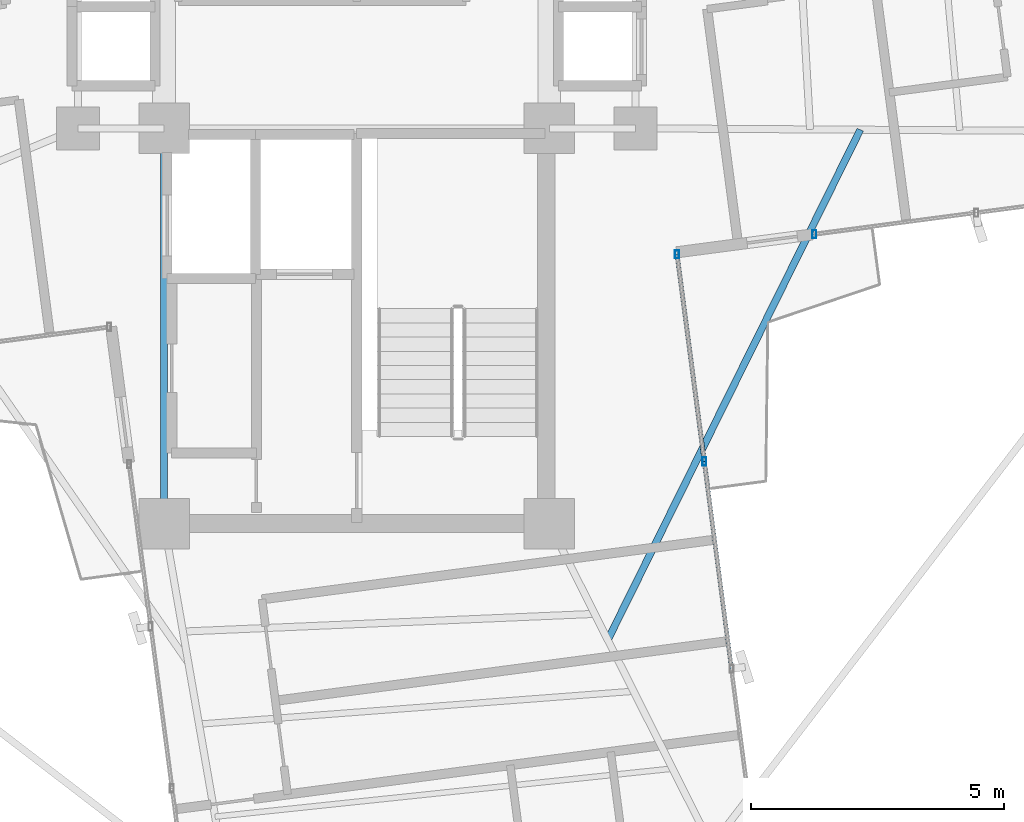
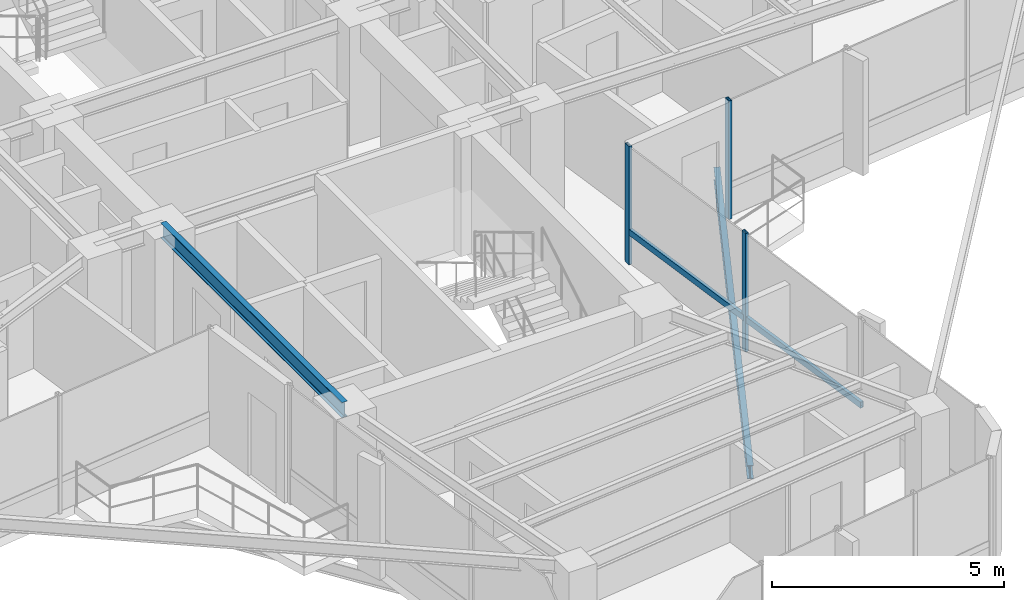
# One storey, part 5 of 22: 5 members, 2 beams, 2 elements without a shape of their own.
"""IFC4 building model written with IfcOpenShell, lengths in metres."""

from ifc_helpers import new_model, si_unit, direction, frame, origin, origin_2d, place, context, subcontext, project, spatial, hollow_rectangle, i_section, extrude, source, transform, mapped, material, material_profile, profile_set, type_object, element, aggregate, save


model = new_model("IFC4")

# Units and contexts
model_context = context("Model", 3, precision=1e-05, world=origin(), true_north=direction((0.0, 1.0)))
body_context = subcontext(model_context, "Body", "Model", "MODEL_VIEW")
ifc_project = project(units=[si_unit("LENGTHUNIT", "METRE"), si_unit("AREAUNIT", "SQUARE_METRE"), si_unit("VOLUMEUNIT", "CUBIC_METRE"), si_unit("PLANEANGLEUNIT", "RADIAN"), si_unit("MASSUNIT", "GRAM", prefix="KILO")], contexts=[model_context])

# Site, building, storey
site_placement = place(None, origin())
site = spatial("IfcSite", under=ifc_project, at=site_placement, CompositionType="ELEMENT")
building_placement = place(site_placement, origin())
building = spatial("IfcBuilding", under=site, at=building_placement, Name="Sahyath Konkavel Grand Hotel", CompositionType="ELEMENT")
storey_placement = place(building_placement, frame((0.0, 0.0, 234.449951171875)))
storey = spatial("IfcBuildingStorey", under=building, at=storey_placement, Name="L65", CompositionType="ELEMENT", Elevation=234.449951171875)

# Beam
ifc_material_1 = material(Name="Steel E350", Category="steel")
ifc_material_profile_1 = material_profile(ifc_material_1, i_section(OverallWidth=0.139892578125, OverallDepth=0.39990234375, WebThickness=0.0087890625, FlangeThickness=0.01611328125, FilletRadius=0.013916015625, at=origin_2d()), Name="ISMB 400")
ifc_profile_set_1 = profile_set([ifc_material_profile_1], Name="Steel E350")
beam_type_1 = type_object("IfcBeamType", Name="BM-ISMB400", PredefinedType="BEAM", material=ifc_profile_set_1)
shared_shape_1 = source(origin(), body_context, "Body", "SweptSolid", [
    extrude(i_section(OverallWidth=0.139892578125, OverallDepth=0.39990234375, WebThickness=0.0087890625, FlangeThickness=0.01611328125, FilletRadius=0.013916015625, at=origin_2d()), origin(), (0.0, 0.0, 1.0), 7.800048828125),
])
beam_1_placement = place(storey_placement, frame((-3.800048828125, -10.199951171875, 2.91015625), z_axis=(0.0, 1.0, 0.0), x_axis=(-1.0, 0.0, 0.0)))
element("IfcBeam", 1, at=beam_1_placement, inside=storey, type_object=beam_type_1, Name="str:bm:L65:SC-W", PredefinedType="BEAM", context=body_context, shape_type="MappedRepresentation", body=[
    mapped(shared_shape_1, transform((0.0, 0.0, 0.0), scale=1.0)),
])

# Curtain wall, member
ifc_material_2 = material(Name="Anodised Bronze Aluminium & Low-E Glazing", Category="aluminium")
curtain_wall_type = type_object("IfcCurtainWallType", Name="CW-ZONE4", PredefinedType="NOTDEFINED", material=ifc_material_2)
curtain_wall_1_placement = place(storey_placement, origin())
curtain_wall_1 = element("IfcCurtainWall", 2, at=curtain_wall_1_placement, inside=storey, type_object=curtain_wall_type, Name="L65 Unitised Curtain Wall F0", PredefinedType="NOTDEFINED")
ifc_material_3 = material(Name="Anodised Bronze Aluminium", Category="aluminium")
ifc_material_profile_2 = material_profile(ifc_material_3, hollow_rectangle(XDim=0.080078125, YDim=0.159912109375, WallThickness=0.006103515625, at=origin_2d()), Name="RHS 160x80x6")
ifc_profile_set_2 = profile_set([ifc_material_profile_2], Name="Anodised Bronze Aluminium")
member_type_1 = type_object("IfcMemberType", Name="CW-MUL-160", PredefinedType="MULLION", material=ifc_profile_set_2)
shared_shape_2 = source(origin(), body_context, "Body", "SweptSolid", [
    extrude(hollow_rectangle(XDim=0.080078125, YDim=0.159912109375, WallThickness=0.006103515625, at=origin_2d()), origin(), (0.0, 0.0, 1.0), 3.110107421875),
])
member_1_placement = place(storey_placement, frame((9.0322265625, -4.488525390625, 0.0), z_axis=(0.0, 0.0, 1.0), x_axis=(1.0, 0.0, 0.0)))
member_1 = element("IfcMember", 3, at=member_1_placement, type_object=member_type_1, Name="L65 Curtain Wall Mullion F0-0", PredefinedType="MULLION", context=body_context, shape_type="MappedRepresentation", body=[
    mapped(shared_shape_2, transform((0.0, 0.0, 0.0), scale=1.0)),
])
aggregate(curtain_wall_1, [member_1])

# Curtain wall, members
curtain_wall_2_placement = place(storey_placement, origin())
curtain_wall_2 = element("IfcCurtainWall", 4, at=curtain_wall_2_placement, inside=storey, type_object=curtain_wall_type, Name="L65 Unitised Curtain Wall F31", PredefinedType="NOTDEFINED")
member_2_placement = place(storey_placement, frame((6.859130859375, -8.97509765625, 0.0), z_axis=(0.0, 0.0, 1.0), x_axis=(1.0, 0.0, 0.0)))
member_2 = element("IfcMember", 5, at=member_2_placement, type_object=member_type_1, Name="L65 Curtain Wall Mullion F31-2", PredefinedType="MULLION", context=body_context, shape_type="MappedRepresentation", body=[
    mapped(shared_shape_2, transform((0.0, 0.0, 0.0), scale=1.0)),
])
member_3_placement = place(storey_placement, frame((6.32080078125, -4.8857421875, 0.0), z_axis=(0.0, 0.0, 1.0), x_axis=(1.0, 0.0, 0.0)))
member_3 = element("IfcMember", 6, at=member_3_placement, type_object=member_type_1, Name="L65 Curtain Wall Mullion F31-3", PredefinedType="MULLION", context=body_context, shape_type="MappedRepresentation", body=[
    mapped(shared_shape_2, transform((0.0, 0.0, 0.0), scale=1.0)),
])
ifc_material_profile_3 = material_profile(ifc_material_3, hollow_rectangle(XDim=0.080078125, YDim=0.159912109375, WallThickness=0.006103515625, at=origin_2d()), Name="RHS 160x80x6")
ifc_profile_set_3 = profile_set([ifc_material_profile_3], Name="Anodised Bronze Aluminium")
member_type_2 = type_object("IfcMemberType", Name="CW-TRN-160", PredefinedType="USERDEFINED", material=ifc_profile_set_3)
shared_shape_3 = source(origin(), body_context, "Body", "SweptSolid", [
    extrude(hollow_rectangle(XDim=0.080078125, YDim=0.159912109375, WallThickness=0.006103515625, at=origin_2d()), origin(), (0.0, 0.0, 1.0), 4.124755859375),
])
member_4_placement = place(storey_placement, frame((7.3974609375, -13.064453125, 0.85009765625), z_axis=(-0.130515758099, 0.991446234996, 0.0), x_axis=(-0.991446234996, -0.130515758099, 0.0)))
member_4 = element("IfcMember", 7, at=member_4_placement, type_object=member_type_2, Name="L65 Curtain Wall Transom F31-1-spandrel", ObjectType="TRANSOM", PredefinedType="USERDEFINED", context=body_context, shape_type="MappedRepresentation", body=[
    mapped(shared_shape_3, transform((0.0, 0.0, 0.0), scale=1.0)),
])
member_5_placement = place(storey_placement, frame((6.859130859375, -8.97509765625, 0.85009765625), z_axis=(-0.130515758099, 0.991446234996, 0.0), x_axis=(-0.991446234996, -0.130515758099, 0.0)))
member_5 = element("IfcMember", 8, at=member_5_placement, type_object=member_type_2, Name="L65 Curtain Wall Transom F31-2-spandrel", ObjectType="TRANSOM", PredefinedType="USERDEFINED", context=body_context, shape_type="MappedRepresentation", body=[
    mapped(shared_shape_3, transform((0.0, 0.0, 0.0), scale=1.0)),
])
aggregate(curtain_wall_2, [member_2, member_3, member_4, member_5])

# Beam
ifc_material_profile_4 = material_profile(ifc_material_1, i_section(OverallWidth=0.139892578125, OverallDepth=0.35009765625, WebThickness=0.008056640625, FlangeThickness=0.01416015625, FilletRadius=0.013916015625, at=origin_2d()), Name="ISMB 350")
ifc_profile_set_4 = profile_set([ifc_material_profile_4], Name="Steel E350")
beam_type_2 = type_object("IfcBeamType", Name="BM-BALC-CANT", PredefinedType="BEAM", material=ifc_profile_set_4)
shared_shape_4 = source(origin(), body_context, "Body", "SweptSolid", [
    extrude(i_section(OverallWidth=0.139892578125, OverallDepth=0.35009765625, WebThickness=0.008056640625, FlangeThickness=0.01416015625, FilletRadius=0.013916015625, at=origin_2d()), origin(), (0.0, 0.0, 1.0), 11.23193359375),
])
beam_2_placement = place(storey_placement, frame((4.954345703125, -12.49462890625, -0.4150390625), z_axis=(0.443549469716, 0.896249891445, 0.0), x_axis=(-0.896249891445, 0.443549469716, 0.0)))
element("IfcBeam", 9, at=beam_2_placement, inside=storey, type_object=beam_type_2, Name="L65 Balcony Cantilever Support Beam SE", PredefinedType="BEAM", context=body_context, shape_type="MappedRepresentation", body=[
    mapped(shared_shape_4, transform((0.0, 0.0, 0.0), scale=1.0)),
])

save(model, "model.ifc")
